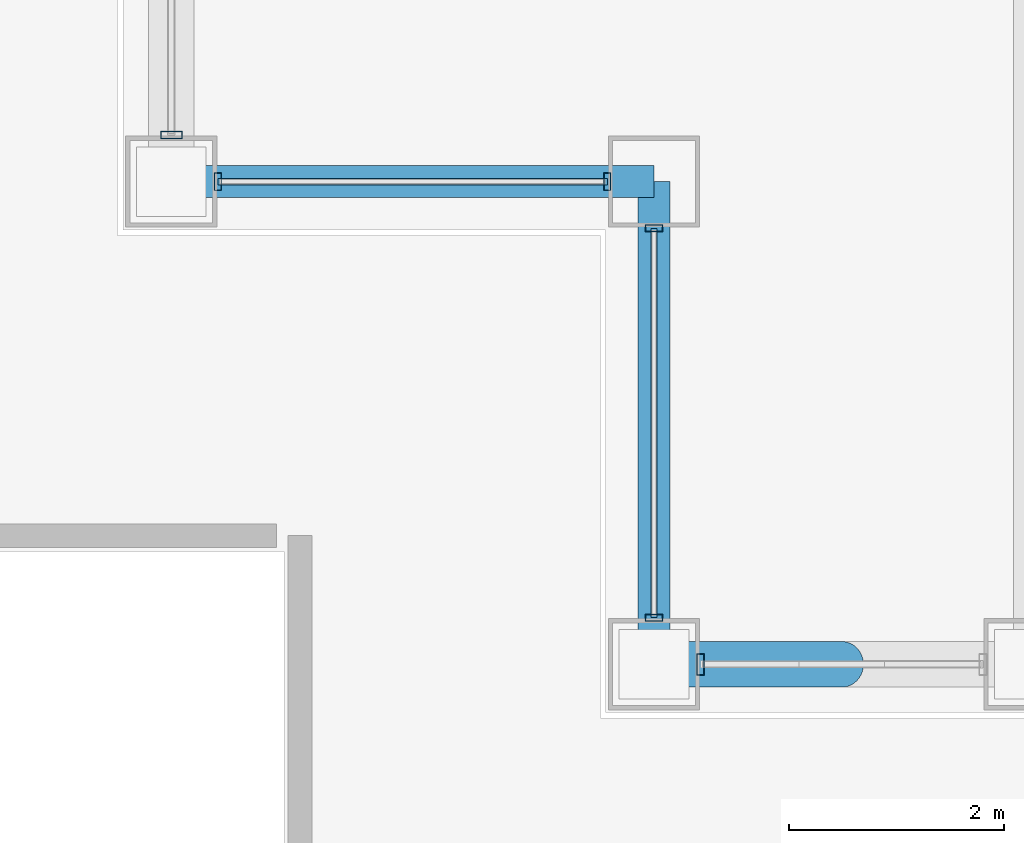
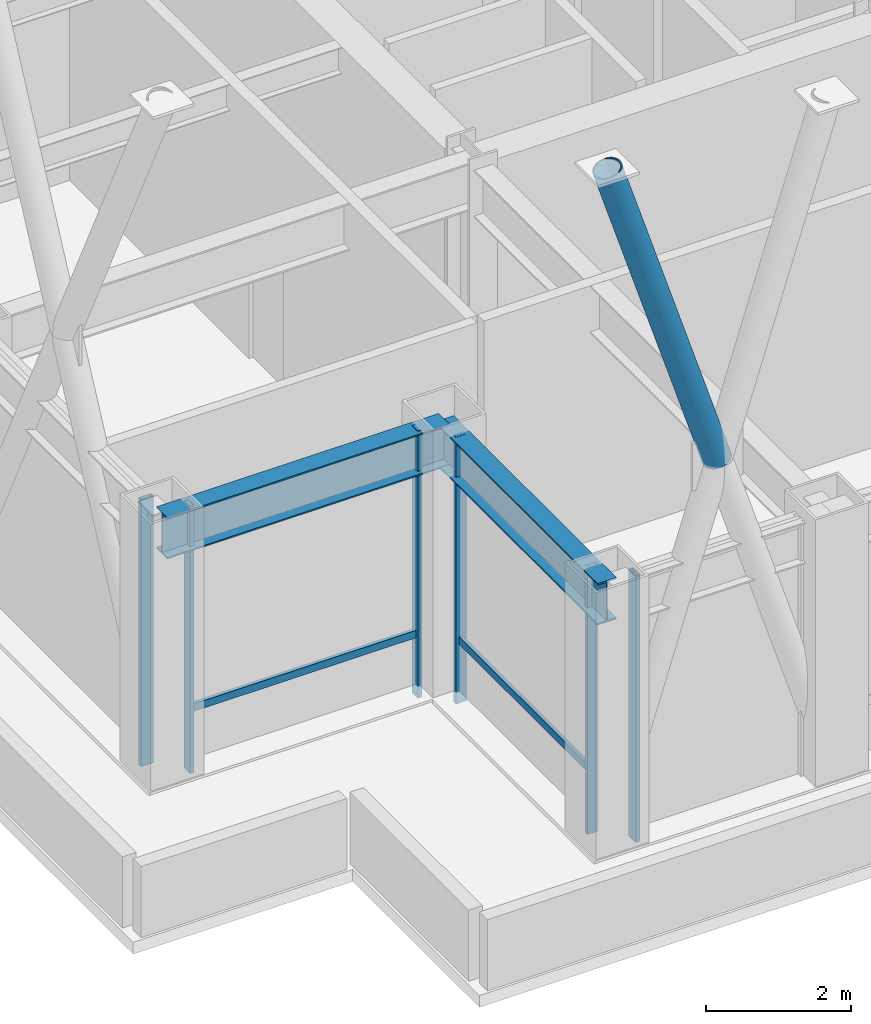
# One storey, part 2 of 32: 9 members, 2 beams, 4 elements without a shape of their own.
"""IFC4 building model written with IfcOpenShell, lengths in metres."""

import ifcopenshell
import ifcopenshell.guid

model = None  # the IFC model being written
_history = None  # IfcOwnerHistory: only IFC2X3 demands one
_inside = {}  # id of a spatial element -> (the spatial element, [elements in it])
_under = {}  # id of a project, library or spatial element -> (it, [spatial elements below it])
_declared = {}  # id of a project -> (the project, [libraries it declares])
_typed = {}  # id of a type object -> (the type object, [elements of that type])
_made_of = {}  # id of a material, layer set ... -> (it, [elements and type objects made of it])


def new_model(schema):
    """Start an empty IFC model of exactly this schema.

    Asked for "IFC4X3", IfcOpenShell would pick the latest addendum, in which some entities
    have other attributes; the version numbers below select the first issue.
    IFC2X3 requires an IfcOwnerHistory on every rooted entity: one is made here for all.
    """
    global model, _history
    if schema == "IFC4X3":
        model = ifcopenshell.file(schema_version=(4, 3, 0, 0))
    else:
        model = ifcopenshell.file(schema=schema)
    _inside.clear()
    _under.clear()
    _declared.clear()
    _typed.clear()
    _made_of.clear()
    _history = None
    if model.schema == "IFC2X3":
        org = make("IfcOrganization", Name="unknown")
        user = make(
            "IfcPersonAndOrganization",
            ThePerson=make("IfcPerson", FamilyName="unknown"),
            TheOrganization=org,
        )
        app = make(
            "IfcApplication",
            ApplicationDeveloper=org,
            Version="unknown",
            ApplicationFullName="unknown",
            ApplicationIdentifier="unknown",
        )
        _history = make(
            "IfcOwnerHistory",
            OwningUser=user,
            OwningApplication=app,
            ChangeAction="ADDED",
            CreationDate=0,
        )
    return model


def make(cls, **values):
    """One entity of the class cls with the attributes given. An attribute that is None is left unset."""
    return model.create_entity(
        cls, **{name: value for name, value in values.items() if value is not None}
    )


def rooted(cls, **values):
    """An entity with a GlobalId (a new one), such as an element, a storey or a relation."""
    return make(cls, GlobalId=ifcopenshell.guid.new(), OwnerHistory=_history, **values)


def si_unit(unit_type, name, prefix=None):
    """IfcSIUnit, for example si_unit("LENGTHUNIT", "METRE", prefix="MILLI")."""
    return make("IfcSIUnit", UnitType=unit_type, Prefix=prefix, Name=name)


def assignment(units):
    """IfcUnitAssignment: the units of a project."""
    return None if units is None else make("IfcUnitAssignment", Units=units)


def point(xyz):
    """IfcCartesianPoint."""
    return None if xyz is None else make("IfcCartesianPoint", Coordinates=xyz)


def direction(xyz):
    """IfcDirection."""
    return None if xyz is None else make("IfcDirection", DirectionRatios=xyz)


def frame(location, z_axis=None, x_axis=None):
    """IfcAxis2Placement3D, a coordinate frame: its origin and axes. An axis left out is left unset."""
    return make(
        "IfcAxis2Placement3D",
        Location=point(location),
        Axis=direction(z_axis),
        RefDirection=direction(x_axis),
    )


def frame_2d(location, x_axis=None):
    """IfcAxis2Placement2D, a coordinate frame in the plane: its origin and x axis."""
    return make(
        "IfcAxis2Placement2D", Location=point(location), RefDirection=direction(x_axis)
    )


def origin():
    """The frame at (0, 0, 0) with its axes left unset."""
    return frame((0.0, 0.0, 0.0))


def origin_2d():
    """The frame at (0, 0) in the plane with its x axis left unset."""
    return frame_2d((0.0, 0.0))


def place(relative_to, where):
    """IfcLocalPlacement: puts the frame where relative to a parent placement (None: the world)."""
    return make(
        "IfcLocalPlacement", PlacementRelTo=relative_to, RelativePlacement=where
    )


def context(
    kind, dimensions, precision=None, world=None, true_north=None, identifier=None
):
    """IfcGeometricRepresentationContext, for example the 3D "Model" context."""
    return make(
        "IfcGeometricRepresentationContext",
        ContextIdentifier=identifier,
        ContextType=kind,
        CoordinateSpaceDimension=dimensions,
        Precision=precision,
        WorldCoordinateSystem=world,
        TrueNorth=true_north,
    )


def subcontext(parent, identifier, kind, view, scale=None):
    """IfcGeometricRepresentationSubContext, for example "Body" below "Model"."""
    return make(
        "IfcGeometricRepresentationSubContext",
        ContextIdentifier=identifier,
        ContextType=kind,
        ParentContext=parent,
        TargetScale=scale,
        TargetView=view,
    )


def project(units=None, contexts=None):
    """IfcProject with its units and contexts."""
    return rooted(
        "IfcProject",
        Name="project",
        RepresentationContexts=contexts,
        UnitsInContext=assignment(units),
    )


def spatial(cls, under=None, at=None, **own):
    """A site, building, storey or space (cls), placed at a placement, below another one or the project."""
    s = rooted(cls, ObjectPlacement=at, **own)
    if under is not None:
        _under.setdefault(under.id(), (under, []))[1].append(s)
    return s


def profile(cls, at=None, kind="AREA", **sizes):
    """A parametric profile (cls). Its sizes go by their IFC names, for example OverallWidth=200.0."""
    return make(cls, ProfileType=kind, Position=at, **sizes)


def hollow_rectangle(**sizes):
    """IfcRectangleHollowProfileDef."""
    return profile("IfcRectangleHollowProfileDef", **sizes)


def hollow_circle(**sizes):
    """IfcCircleHollowProfileDef."""
    return profile("IfcCircleHollowProfileDef", **sizes)


def i_section(**sizes):
    """IfcIShapeProfileDef."""
    return profile("IfcIShapeProfileDef", **sizes)


def extrude(swept, where, along, depth):
    """IfcExtrudedAreaSolid: the profile swept, set in the frame where, extruded along a direction by depth."""
    return make(
        "IfcExtrudedAreaSolid",
        SweptArea=swept,
        Position=where,
        ExtrudedDirection=direction(along),
        Depth=depth,
    )


def shape(context_of_items, identifier, shape_type, items):
    """IfcShapeRepresentation: the items that make up one representation, for example the "Body"."""
    return make(
        "IfcShapeRepresentation",
        ContextOfItems=context_of_items,
        RepresentationIdentifier=identifier,
        RepresentationType=shape_type,
        Items=items,
    )


def material(Name=None, Category=None):
    """IfcMaterial."""
    return make("IfcMaterial", Name=Name, Category=Category)


def layer(
    of_material, thickness, ventilated=None, Name=None, Category=None, Priority=None
):
    """IfcMaterialLayer: one layer of a wall or slab, of a material (None: an air gap)."""
    return make(
        "IfcMaterialLayer",
        Material=of_material,
        LayerThickness=thickness,
        IsVentilated=ventilated,
        Name=Name,
        Category=Category,
        Priority=Priority,
    )


def layer_set(layers, Name=None):
    """IfcMaterialLayerSet."""
    return make("IfcMaterialLayerSet", MaterialLayers=layers, LayerSetName=Name)


def material_profile(
    of_material, cross_section, Name=None, Category=None, Priority=None
):
    """IfcMaterialProfile: a cross section and its material."""
    return make(
        "IfcMaterialProfile",
        Name=Name,
        Material=of_material,
        Profile=cross_section,
        Priority=Priority,
        Category=Category,
    )


def profile_set(profiles, Name=None, composite=None):
    """IfcMaterialProfileSet."""
    return make(
        "IfcMaterialProfileSet",
        Name=Name,
        MaterialProfiles=profiles,
        CompositeProfile=composite,
    )


def made_of(thing, what):
    """Note that an element or type object is made of a material, layer set ...; save() writes the relation."""
    if what is not None:
        _made_of.setdefault(what.id(), (what, []))[1].append(thing)
    return thing


def type_object(cls, material=None, **own):
    """A type object (cls), such as IfcWallType, which elements share."""
    return made_of(rooted(cls, **own), material)


def element(
    cls,
    number,
    at=None,
    inside=None,
    cuts=None,
    type_object=None,
    material=None,
    context=None,
    identifier="Body",
    shape_type=None,
    held_by="IfcProductDefinitionShape",
    body=None,
    shapes=None,
    **own,
):
    """One element of the class cls, such as IfcWall. Its Tag is "e" and its number.

    at: its placement. inside: the storey or other place that contains it. cuts: it is an
    opening in that element (IfcRelVoidsElement). A single representation is given by context,
    identifier, shape_type and body (its items); several are given by shapes. held_by: the class
    of the entity that holds the representations. save() writes the other relations.
    """
    e = rooted(cls, Tag="e%d" % number, ObjectPlacement=at, **own)
    if body is not None:
        shapes = [shape(context, identifier, shape_type, body)]
    if shapes is not None:
        e.Representation = make(held_by, Representations=shapes)
    if inside is not None:
        _inside.setdefault(inside.id(), (inside, []))[1].append(e)
    if cuts is not None:
        rooted(
            "IfcRelVoidsElement", RelatingBuildingElement=cuts, RelatedOpeningElement=e
        )
    if type_object is not None:
        _typed.setdefault(type_object.id(), (type_object, []))[1].append(e)
    return made_of(e, material)


def aggregate(whole, parts):
    """IfcRelAggregates: a whole, such as a stair, and the parts it consists of."""
    return rooted("IfcRelAggregates", RelatingObject=whole, RelatedObjects=parts)


def save(model, path):
    """Write the relations noted so far, then the file.

    IfcRelAggregates (storeys below a building ...), IfcRelContainedInSpatialStructure (elements
    in a storey), IfcRelDefinesByType, IfcRelAssociatesMaterial and IfcRelDeclares: one each for
    every whole, place, type object, material and project.
    """
    for whole, parts in _under.values():
        aggregate(whole, parts)
    for where, things in _inside.values():
        rooted(
            "IfcRelContainedInSpatialStructure",
            RelatedElements=things,
            RelatingStructure=where,
        )
    for kind, things in _typed.values():
        rooted("IfcRelDefinesByType", RelatedObjects=things, RelatingType=kind)
    for what, things in _made_of.values():
        rooted("IfcRelAssociatesMaterial", RelatedObjects=things, RelatingMaterial=what)
    for by, libraries in _declared.values():
        rooted("IfcRelDeclares", RelatingContext=by, RelatedDefinitions=libraries)
    model.write(path)


model = new_model("IFC4")

# Units and contexts
model_context = context("Model", 3, precision=1e-05, world=origin(), true_north=direction((0.0, 1.0)))
body_context = subcontext(model_context, "Body", "Model", "MODEL_VIEW")
ifc_project = project(units=[si_unit("LENGTHUNIT", "METRE"), si_unit("AREAUNIT", "SQUARE_METRE"), si_unit("VOLUMEUNIT", "CUBIC_METRE"), si_unit("PLANEANGLEUNIT", "RADIAN"), si_unit("MASSUNIT", "GRAM", prefix="KILO")], contexts=[model_context])

# Site, building, storey
site_placement = place(None, origin())
site = spatial("IfcSite", under=ifc_project, at=site_placement, CompositionType="ELEMENT")
building_placement = place(site_placement, origin())
building = spatial("IfcBuilding", under=site, at=building_placement, Name="Brelmoor Portico Tower", CompositionType="ELEMENT")
storey_placement = place(building_placement, frame((0.0, 0.0, 87.300048828125)))
storey = spatial("IfcBuildingStorey", under=building, at=storey_placement, Name="L22", CompositionType="ELEMENT", Elevation=87.300048828125)

# Beams
ifc_material_1 = material(Name="Steel Q355B", Category="steel")
ifc_material_profile_1 = material_profile(ifc_material_1, i_section(OverallWidth=0.300048828125, OverallDepth=0.699951171875, WebThickness=0.012939453125, FlangeThickness=0.02392578125, at=origin_2d()), Name="HN 700x300x13x24")
ifc_profile_set_1 = profile_set([ifc_material_profile_1], Name="Steel Q355B")
beam_type = type_object("IfcBeamType", Name="BM-SP-700", PredefinedType="SPANDREL", material=ifc_profile_set_1)
for number, where, z_axis, x_axis, name in (
    (1, (-22.550048828125, -15.050048828125, 3.949951171875), (1.0, 0.0, 0.0), (0.0, 1.0, 0.0), "L22 Perimeter Spandrel Beam SP-06"),
    (2, (-18.050048828125, -19.550048828125, 3.949951171875), (0.0, 1.0, 0.0), (-1.0, 0.0, 0.0), "L22 Perimeter Spandrel Beam SP-18"),
):
    element("IfcBeam", number, at=place(storey_placement, frame(where, z_axis=z_axis, x_axis=x_axis)), inside=storey, type_object=beam_type, Name=name, PredefinedType="SPANDREL", context=body_context, shape_type="SweptSolid", body=[
        extrude(i_section(OverallWidth=0.300048828125, OverallDepth=0.699951171875, WebThickness=0.012939453125, FlangeThickness=0.02392578125, at=origin_2d()), origin(), (0.0, 0.0, 1.0), 4.5),
    ])

# Member
ifc_material_profile_2 = material_profile(ifc_material_1, hollow_circle(Radius=0.212890625, WallThickness=0.02001953125, at=origin_2d()), Name="CHS 426x20")
ifc_profile_set_2 = profile_set([ifc_material_profile_2], Name="Steel Q355B")
member_type_1 = type_object("IfcMemberType", Name="MB-BELT-DIAG1", PredefinedType="BRACE", material=ifc_profile_set_2)
member_1_placement = place(storey_placement, frame((-16.300048828125, -19.550048828125, 5.75), z_axis=(-0.303203657277, 0.0, 0.952925780013), x_axis=(0.0, -1.0, 0.0)))
element("IfcMember", 3, at=member_1_placement, inside=storey, type_object=member_type_1, Name="L22 Split Mega-X Brace 043B2", PredefinedType="BRACE", context=body_context, shape_type="SweptSolid", body=[
    extrude(hollow_circle(Radius=0.212890625, WallThickness=0.02001953125, at=origin_2d()), origin(), (0.0, 0.0, 1.0), 5.771728515625),
])

# Curtain wall, members
ifc_material_2 = material(Name="Anodised Aluminium Alloy 6063-T6", Category="aluminium")
ifc_layer_1 = layer(ifc_material_2, 0.179931640625)
ifc_layer_set_1 = layer_set([ifc_layer_1], Name="Anodised Aluminium Alloy 6063-T6")
curtain_wall_type_1 = type_object("IfcCurtainWallType", Name="CW-NOTCH-CHAMFER", PredefinedType="NOTDEFINED", material=ifc_layer_set_1)
curtain_wall_1_placement = place(storey_placement, origin())
curtain_wall_1 = element("IfcCurtainWall", 4, at=curtain_wall_1_placement, inside=storey, type_object=curtain_wall_type_1, Name="L22 Curtain Wall CWN-L22-SWH", PredefinedType="NOTDEFINED")
ifc_material_profile_3 = material_profile(ifc_material_2, hollow_rectangle(XDim=0.06494140625, YDim=0.1650390625, WallThickness=0.00390625, at=origin_2d()), Name="ALU MULLION 65x165")
ifc_profile_set_3 = profile_set([ifc_material_profile_3], Name="Anodised Aluminium Alloy 6063-T6")
member_type_2 = type_object("IfcMemberType", Name="MB-CW-MULL-165", PredefinedType="MULLION", material=ifc_profile_set_3)
member_2_placement = place(storey_placement, frame((-22.114990234375, -15.050048828125, -0.199951171875), z_axis=(0.0, 0.0, 1.0), x_axis=(1.0, 0.0, 0.0)))
member_2 = element("IfcMember", 5, at=member_2_placement, type_object=member_type_2, Name="CWN-L22-SWH Mullion 00", PredefinedType="MULLION", context=body_context, shape_type="SweptSolid", body=[
    extrude(hollow_rectangle(XDim=0.06494140625, YDim=0.1650390625, WallThickness=0.00390625, at=origin_2d()), origin(), (0.0, 0.0, 1.0), 4.5),
])
member_3_placement = place(storey_placement, frame((-18.485107421875, -15.050048828125, -0.199951171875), z_axis=(0.0, 0.0, 1.0), x_axis=(1.0, 0.0, 0.0)))
member_3 = element("IfcMember", 6, at=member_3_placement, type_object=member_type_2, Name="CWN-L22-SWH Mullion 01", PredefinedType="MULLION", context=body_context, shape_type="SweptSolid", body=[
    extrude(hollow_rectangle(XDim=0.06494140625, YDim=0.1650390625, WallThickness=0.00390625, at=origin_2d()), origin(), (0.0, 0.0, 1.0), 4.5),
])

curtain_wall_2_placement = place(storey_placement, origin())
curtain_wall_2 = element("IfcCurtainWall", 7, at=curtain_wall_2_placement, inside=storey, type_object=curtain_wall_type_1, Name="L22 Curtain Wall CWN-L22-SWV", PredefinedType="NOTDEFINED")
member_4_placement = place(storey_placement, frame((-18.050048828125, -19.114990234375, -0.199951171875), z_axis=(0.0, 0.0, 1.0), x_axis=(0.0, 1.0, 0.0)))
member_4 = element("IfcMember", 8, at=member_4_placement, type_object=member_type_2, Name="CWN-L22-SWV Mullion 00", PredefinedType="MULLION", context=body_context, shape_type="SweptSolid", body=[
    extrude(hollow_rectangle(XDim=0.06494140625, YDim=0.1650390625, WallThickness=0.00390625, at=origin_2d()), origin(), (0.0, 0.0, 1.0), 4.5),
])
member_5_placement = place(storey_placement, frame((-18.050048828125, -15.485107421875, -0.199951171875), z_axis=(0.0, 0.0, 1.0), x_axis=(0.0, 1.0, 0.0)))
member_5 = element("IfcMember", 9, at=member_5_placement, type_object=member_type_2, Name="CWN-L22-SWV Mullion 01", PredefinedType="MULLION", context=body_context, shape_type="SweptSolid", body=[
    extrude(hollow_rectangle(XDim=0.06494140625, YDim=0.1650390625, WallThickness=0.00390625, at=origin_2d()), origin(), (0.0, 0.0, 1.0), 4.5),
])

# Curtain wall, member
ifc_layer_2 = layer(ifc_material_2, 0.179931640625)
ifc_layer_set_2 = layer_set([ifc_layer_2], Name="Anodised Aluminium Alloy 6063-T6")
curtain_wall_type_2 = type_object("IfcCurtainWallType", Name="CW-SKYLOBBY-XB", PredefinedType="NOTDEFINED", material=ifc_layer_set_2)
curtain_wall_3_placement = place(storey_placement, origin())
curtain_wall_3 = element("IfcCurtainWall", 10, at=curtain_wall_3_placement, inside=storey, type_object=curtain_wall_type_2, Name="L22 Curtain Wall CW-L22-01-1", PredefinedType="NOTDEFINED")
ifc_material_profile_4 = material_profile(ifc_material_2, hollow_rectangle(XDim=0.070068359375, YDim=0.199951171875, WallThickness=0.00439453125, at=origin_2d()), Name="ALU MULLION 70x200")
ifc_profile_set_4 = profile_set([ifc_material_profile_4], Name="Anodised Aluminium Alloy 6063-T6")
member_type_3 = type_object("IfcMemberType", Name="MB-CW-MULL-200", PredefinedType="MULLION", material=ifc_profile_set_4)
member_6_placement = place(storey_placement, frame((-17.614990234375, -19.550048828125, -0.199951171875), z_axis=(0.0, 0.0, 1.0), x_axis=(1.0, 0.0, 0.0)))
member_6 = element("IfcMember", 11, at=member_6_placement, type_object=member_type_3, Name="CW-L22-01-1 Mullion 00", PredefinedType="MULLION", context=body_context, shape_type="SweptSolid", body=[
    extrude(hollow_rectangle(XDim=0.070068359375, YDim=0.199951171875, WallThickness=0.00439453125, at=origin_2d()), origin(), (0.0, 0.0, 1.0), 4.5),
])
aggregate(curtain_wall_3, [member_6])

curtain_wall_4_placement = place(storey_placement, origin())
curtain_wall_4 = element("IfcCurtainWall", 12, at=curtain_wall_4_placement, inside=storey, type_object=curtain_wall_type_2, Name="L22 Curtain Wall CW-L22-03-1", PredefinedType="NOTDEFINED")
member_7_placement = place(storey_placement, frame((-22.550048828125, -14.614990234375, -0.199951171875), z_axis=(0.0, 0.0, 1.0), x_axis=(0.0, 1.0, 0.0)))
member_7 = element("IfcMember", 13, at=member_7_placement, type_object=member_type_3, Name="CW-L22-03-1 Mullion 00", PredefinedType="MULLION", context=body_context, shape_type="SweptSolid", body=[
    extrude(hollow_rectangle(XDim=0.070068359375, YDim=0.199951171875, WallThickness=0.00439453125, at=origin_2d()), origin(), (0.0, 0.0, 1.0), 4.5),
])
aggregate(curtain_wall_4, [member_7])

# Member
ifc_material_profile_5 = material_profile(ifc_material_2, hollow_rectangle(XDim=0.06005859375, YDim=0.125, WallThickness=0.00341796875, at=origin_2d()), Name="ALU TRANSOM 60x125")
ifc_profile_set_5 = profile_set([ifc_material_profile_5], Name="Anodised Aluminium Alloy 6063-T6")
member_type_4 = type_object("IfcMemberType", Name="MB-CW-TRAN-125", PredefinedType="USERDEFINED", material=ifc_profile_set_5)
member_8_placement = place(storey_placement, frame((-22.114990234375, -15.050048828125, 0.849853515625), z_axis=(1.0, 0.0, 0.0), x_axis=(0.0, 1.0, 0.0)))
member_8 = element("IfcMember", 14, at=member_8_placement, type_object=member_type_4, Name="CWN-L22-SWH Transom 1-00", ObjectType="TRANSOM", PredefinedType="USERDEFINED", context=body_context, shape_type="SweptSolid", body=[
    extrude(hollow_rectangle(XDim=0.06005859375, YDim=0.125, WallThickness=0.00341796875, at=origin_2d()), origin(), (0.0, 0.0, 1.0), 3.6298828125),
])

aggregate(curtain_wall_1, [member_2, member_3, member_8])

member_9_placement = place(storey_placement, frame((-18.050048828125, -19.114990234375, 0.849853515625), z_axis=(0.0, 1.0, 0.0), x_axis=(-1.0, 0.0, 0.0)))
member_9 = element("IfcMember", 15, at=member_9_placement, type_object=member_type_4, Name="CWN-L22-SWV Transom 1-00", ObjectType="TRANSOM", PredefinedType="USERDEFINED", context=body_context, shape_type="SweptSolid", body=[
    extrude(hollow_rectangle(XDim=0.06005859375, YDim=0.125, WallThickness=0.00341796875, at=origin_2d()), origin(), (0.0, 0.0, 1.0), 3.6298828125),
])

aggregate(curtain_wall_2, [member_4, member_5, member_9])

save(model, "model.ifc")
